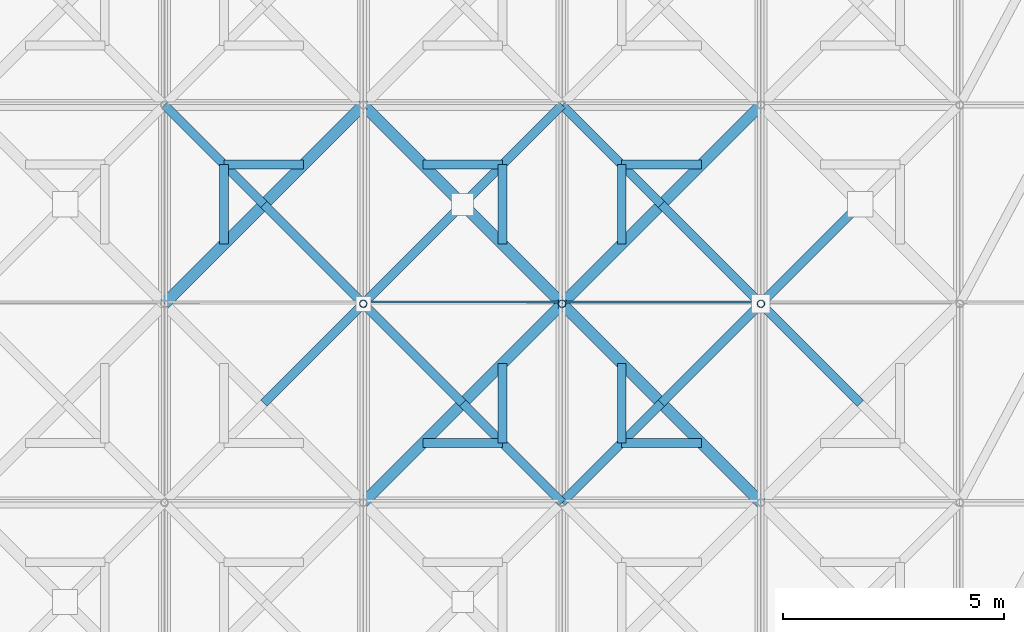
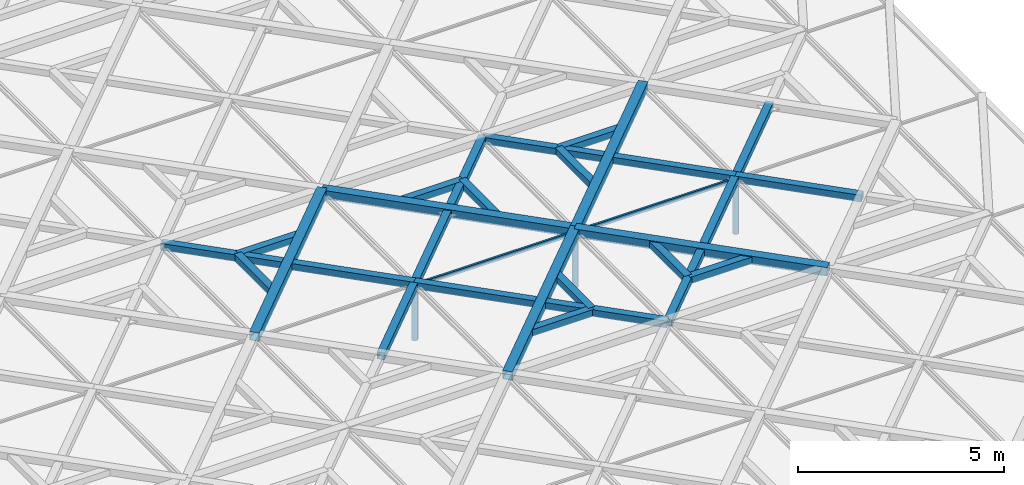
# One storey, part 36 of 80: 31 members, 2 elements without a shape of their own.
"""IFC4 building model written with IfcOpenShell, lengths in metres."""

import ifcopenshell
import ifcopenshell.guid

model = None  # the IFC model being written
_history = None  # IfcOwnerHistory: only IFC2X3 demands one
_inside = {}  # id of a spatial element -> (the spatial element, [elements in it])
_under = {}  # id of a project, library or spatial element -> (it, [spatial elements below it])
_declared = {}  # id of a project -> (the project, [libraries it declares])
_typed = {}  # id of a type object -> (the type object, [elements of that type])
_made_of = {}  # id of a material, layer set ... -> (it, [elements and type objects made of it])


def new_model(schema):
    """Start an empty IFC model of exactly this schema.

    Asked for "IFC4X3", IfcOpenShell would pick the latest addendum, in which some entities
    have other attributes; the version numbers below select the first issue.
    IFC2X3 requires an IfcOwnerHistory on every rooted entity: one is made here for all.
    """
    global model, _history
    if schema == "IFC4X3":
        model = ifcopenshell.file(schema_version=(4, 3, 0, 0))
    else:
        model = ifcopenshell.file(schema=schema)
    _inside.clear()
    _under.clear()
    _declared.clear()
    _typed.clear()
    _made_of.clear()
    _history = None
    if model.schema == "IFC2X3":
        org = make("IfcOrganization", Name="unknown")
        user = make(
            "IfcPersonAndOrganization",
            ThePerson=make("IfcPerson", FamilyName="unknown"),
            TheOrganization=org,
        )
        app = make(
            "IfcApplication",
            ApplicationDeveloper=org,
            Version="unknown",
            ApplicationFullName="unknown",
            ApplicationIdentifier="unknown",
        )
        _history = make(
            "IfcOwnerHistory",
            OwningUser=user,
            OwningApplication=app,
            ChangeAction="ADDED",
            CreationDate=0,
        )
    return model


def make(cls, **values):
    """One entity of the class cls with the attributes given. An attribute that is None is left unset."""
    return model.create_entity(
        cls, **{name: value for name, value in values.items() if value is not None}
    )


def rooted(cls, **values):
    """An entity with a GlobalId (a new one), such as an element, a storey or a relation."""
    return make(cls, GlobalId=ifcopenshell.guid.new(), OwnerHistory=_history, **values)


def si_unit(unit_type, name, prefix=None):
    """IfcSIUnit, for example si_unit("LENGTHUNIT", "METRE", prefix="MILLI")."""
    return make("IfcSIUnit", UnitType=unit_type, Prefix=prefix, Name=name)


def assignment(units):
    """IfcUnitAssignment: the units of a project."""
    return None if units is None else make("IfcUnitAssignment", Units=units)


def point(xyz):
    """IfcCartesianPoint."""
    return None if xyz is None else make("IfcCartesianPoint", Coordinates=xyz)


def direction(xyz):
    """IfcDirection."""
    return None if xyz is None else make("IfcDirection", DirectionRatios=xyz)


def frame(location, z_axis=None, x_axis=None):
    """IfcAxis2Placement3D, a coordinate frame: its origin and axes. An axis left out is left unset."""
    return make(
        "IfcAxis2Placement3D",
        Location=point(location),
        Axis=direction(z_axis),
        RefDirection=direction(x_axis),
    )


def frame_2d(location, x_axis=None):
    """IfcAxis2Placement2D, a coordinate frame in the plane: its origin and x axis."""
    return make(
        "IfcAxis2Placement2D", Location=point(location), RefDirection=direction(x_axis)
    )


def origin():
    """The frame at (0, 0, 0) with its axes left unset."""
    return frame((0.0, 0.0, 0.0))


def origin_2d():
    """The frame at (0, 0) in the plane with its x axis left unset."""
    return frame_2d((0.0, 0.0))


def place(relative_to, where):
    """IfcLocalPlacement: puts the frame where relative to a parent placement (None: the world)."""
    return make(
        "IfcLocalPlacement", PlacementRelTo=relative_to, RelativePlacement=where
    )


def context(
    kind, dimensions, precision=None, world=None, true_north=None, identifier=None
):
    """IfcGeometricRepresentationContext, for example the 3D "Model" context."""
    return make(
        "IfcGeometricRepresentationContext",
        ContextIdentifier=identifier,
        ContextType=kind,
        CoordinateSpaceDimension=dimensions,
        Precision=precision,
        WorldCoordinateSystem=world,
        TrueNorth=true_north,
    )


def subcontext(parent, identifier, kind, view, scale=None):
    """IfcGeometricRepresentationSubContext, for example "Body" below "Model"."""
    return make(
        "IfcGeometricRepresentationSubContext",
        ContextIdentifier=identifier,
        ContextType=kind,
        ParentContext=parent,
        TargetScale=scale,
        TargetView=view,
    )


def project(units=None, contexts=None):
    """IfcProject with its units and contexts."""
    return rooted(
        "IfcProject",
        Name="project",
        RepresentationContexts=contexts,
        UnitsInContext=assignment(units),
    )


def spatial(cls, under=None, at=None, **own):
    """A site, building, storey or space (cls), placed at a placement, below another one or the project."""
    s = rooted(cls, ObjectPlacement=at, **own)
    if under is not None:
        _under.setdefault(under.id(), (under, []))[1].append(s)
    return s


def profile(cls, at=None, kind="AREA", **sizes):
    """A parametric profile (cls). Its sizes go by their IFC names, for example OverallWidth=200.0."""
    return make(cls, ProfileType=kind, Position=at, **sizes)


def rectangle(**sizes):
    """IfcRectangleProfileDef."""
    return profile("IfcRectangleProfileDef", **sizes)


def hollow_rectangle(**sizes):
    """IfcRectangleHollowProfileDef."""
    return profile("IfcRectangleHollowProfileDef", **sizes)


def hollow_circle(**sizes):
    """IfcCircleHollowProfileDef."""
    return profile("IfcCircleHollowProfileDef", **sizes)


def extrude(swept, where, along, depth):
    """IfcExtrudedAreaSolid: the profile swept, set in the frame where, extruded along a direction by depth."""
    return make(
        "IfcExtrudedAreaSolid",
        SweptArea=swept,
        Position=where,
        ExtrudedDirection=direction(along),
        Depth=depth,
    )


def shape(context_of_items, identifier, shape_type, items):
    """IfcShapeRepresentation: the items that make up one representation, for example the "Body"."""
    return make(
        "IfcShapeRepresentation",
        ContextOfItems=context_of_items,
        RepresentationIdentifier=identifier,
        RepresentationType=shape_type,
        Items=items,
    )


def material(Name=None, Category=None):
    """IfcMaterial."""
    return make("IfcMaterial", Name=Name, Category=Category)


def material_profile(
    of_material, cross_section, Name=None, Category=None, Priority=None
):
    """IfcMaterialProfile: a cross section and its material."""
    return make(
        "IfcMaterialProfile",
        Name=Name,
        Material=of_material,
        Profile=cross_section,
        Priority=Priority,
        Category=Category,
    )


def profile_set(profiles, Name=None, composite=None):
    """IfcMaterialProfileSet."""
    return make(
        "IfcMaterialProfileSet",
        Name=Name,
        MaterialProfiles=profiles,
        CompositeProfile=composite,
    )


def made_of(thing, what):
    """Note that an element or type object is made of a material, layer set ...; save() writes the relation."""
    if what is not None:
        _made_of.setdefault(what.id(), (what, []))[1].append(thing)
    return thing


def type_object(cls, material=None, **own):
    """A type object (cls), such as IfcWallType, which elements share."""
    return made_of(rooted(cls, **own), material)


def element(
    cls,
    number,
    at=None,
    inside=None,
    cuts=None,
    type_object=None,
    material=None,
    context=None,
    identifier="Body",
    shape_type=None,
    held_by="IfcProductDefinitionShape",
    body=None,
    shapes=None,
    **own,
):
    """One element of the class cls, such as IfcWall. Its Tag is "e" and its number.

    at: its placement. inside: the storey or other place that contains it. cuts: it is an
    opening in that element (IfcRelVoidsElement). A single representation is given by context,
    identifier, shape_type and body (its items); several are given by shapes. held_by: the class
    of the entity that holds the representations. save() writes the other relations.
    """
    e = rooted(cls, Tag="e%d" % number, ObjectPlacement=at, **own)
    if body is not None:
        shapes = [shape(context, identifier, shape_type, body)]
    if shapes is not None:
        e.Representation = make(held_by, Representations=shapes)
    if inside is not None:
        _inside.setdefault(inside.id(), (inside, []))[1].append(e)
    if cuts is not None:
        rooted(
            "IfcRelVoidsElement", RelatingBuildingElement=cuts, RelatedOpeningElement=e
        )
    if type_object is not None:
        _typed.setdefault(type_object.id(), (type_object, []))[1].append(e)
    return made_of(e, material)


def aggregate(whole, parts):
    """IfcRelAggregates: a whole, such as a stair, and the parts it consists of."""
    return rooted("IfcRelAggregates", RelatingObject=whole, RelatedObjects=parts)


def save(model, path):
    """Write the relations noted so far, then the file.

    IfcRelAggregates (storeys below a building ...), IfcRelContainedInSpatialStructure (elements
    in a storey), IfcRelDefinesByType, IfcRelAssociatesMaterial and IfcRelDeclares: one each for
    every whole, place, type object, material and project.
    """
    for whole, parts in _under.values():
        aggregate(whole, parts)
    for where, things in _inside.values():
        rooted(
            "IfcRelContainedInSpatialStructure",
            RelatedElements=things,
            RelatingStructure=where,
        )
    for kind, things in _typed.values():
        rooted("IfcRelDefinesByType", RelatedObjects=things, RelatingType=kind)
    for what, things in _made_of.values():
        rooted("IfcRelAssociatesMaterial", RelatedObjects=things, RelatingMaterial=what)
    for by, libraries in _declared.values():
        rooted("IfcRelDeclares", RelatingContext=by, RelatedDefinitions=libraries)
    model.write(path)


model = new_model("IFC4")

# Units and contexts
model_context = context("Model", 3, precision=1e-05, world=origin(), true_north=direction((0.0, 1.0)))
body_context = subcontext(model_context, "Body", "Model", "MODEL_VIEW")
ifc_project = project(units=[si_unit("LENGTHUNIT", "METRE"), si_unit("AREAUNIT", "SQUARE_METRE"), si_unit("VOLUMEUNIT", "CUBIC_METRE"), si_unit("PLANEANGLEUNIT", "RADIAN"), si_unit("MASSUNIT", "GRAM", prefix="KILO"), si_unit("THERMODYNAMICTEMPERATUREUNIT", "KELVIN"), si_unit("POWERUNIT", "WATT")], contexts=[model_context])

# Site, building, storey
site_placement = place(None, origin())
site = spatial("IfcSite", under=ifc_project, at=site_placement, CompositionType="ELEMENT")
building_placement = place(site_placement, origin())
building = spatial("IfcBuilding", under=site, at=building_placement, Name="Tallowbark Science Centre", CompositionType="ELEMENT")
storey_placement = place(building_placement, frame((0.0, 0.0, 25.949951171875)))
storey = spatial("IfcBuildingStorey", under=building, at=storey_placement, Name="ROOF", CompositionType="ELEMENT", Elevation=25.949951171875)

# Curtain wall, member
ifc_material_1 = material(Name="Blue-Tinted Laminated Low-E Skylight Glass", Category="glass")
curtain_wall_type = type_object("IfcCurtainWallType", Name="CW-SKY-ROOF", PredefinedType="NOTDEFINED", material=ifc_material_1)
curtain_wall_1_placement = place(storey_placement, origin())
curtain_wall_1 = element("IfcCurtainWall", 1, at=curtain_wall_1_placement, inside=storey, type_object=curtain_wall_type, Name="Exhibition Star-Screen Skylight Bay 9", PredefinedType="NOTDEFINED")
ifc_material_2 = material(Name="Anodised Architectural Aluminium Alloy 6063-T6", Category="aluminium")
ifc_material_profile_1 = material_profile(ifc_material_2, rectangle(XDim=0.054931640625, YDim=0.1201171875, at=origin_2d()), Name="ALU55x120")
ifc_profile_set_1 = profile_set([ifc_material_profile_1], Name="Anodised Architectural Aluminium Alloy 6063-T6")
member_type_1 = type_object("IfcMemberType", Name="CWM-SKY-TRN", PredefinedType="USERDEFINED", material=ifc_profile_set_1)
member_1_placement = place(storey_placement, frame((90.080078125, 18.0400390625, 0.35205078125), z_axis=(1.0, 0.0, 0.0), x_axis=(0.0, 1.0, 0.0)))
member_1 = element("IfcMember", 2, at=member_1_placement, type_object=member_type_1, Name="Skylight Bay 9 Transom 5", ObjectType="TRANSOM", PredefinedType="USERDEFINED", context=body_context, shape_type="SweptSolid", body=[
    extrude(rectangle(XDim=0.054931640625, YDim=0.1201171875, at=origin_2d()), origin(), (0.0, 0.0, 1.0), 4.33984375),
])
aggregate(curtain_wall_1, [member_1])

curtain_wall_2_placement = place(storey_placement, origin())
curtain_wall_2 = element("IfcCurtainWall", 3, at=curtain_wall_2_placement, inside=storey, type_object=curtain_wall_type, Name="Exhibition Star-Screen Skylight Bay 10", PredefinedType="NOTDEFINED")
member_2_placement = place(storey_placement, frame((94.580078125, 18.0400390625, 0.35205078125), z_axis=(1.0, 0.0, 0.0), x_axis=(0.0, 1.0, 0.0)))
member_2 = element("IfcMember", 4, at=member_2_placement, type_object=member_type_1, Name="Skylight Bay 10 Transom 5", ObjectType="TRANSOM", PredefinedType="USERDEFINED", context=body_context, shape_type="SweptSolid", body=[
    extrude(rectangle(XDim=0.054931640625, YDim=0.1201171875, at=origin_2d()), origin(), (0.0, 0.0, 1.0), 4.33984375),
])
aggregate(curtain_wall_2, [member_2])

# Members
ifc_material_3 = material(Name="White Architectural Painted Steel Grade C350L0 (350 MPa)", Category="steel")
ifc_material_profile_2 = material_profile(ifc_material_3, hollow_rectangle(XDim=0.25, YDim=0.25, WallThickness=0.009033203125, at=origin_2d()), Name="250x250x9.0SHS")
ifc_profile_set_2 = profile_set([ifc_material_profile_2], Name="White Architectural Painted Steel Grade C350L0 (350 MPa)")
member_type_2 = type_object("IfcMemberType", Name="SCR-CHD200", PredefinedType="CHORD", material=ifc_profile_set_2)
for number, where, z_axis, x_axis, name in (
    (5, (90.0, 13.5, 0.449951171875), (0.707106781187, 0.707106781187, 0.0), (-0.707106781187, 0.707106781187, 0.0), "Star Screen Octagram Diamond Chord TOP-67-1"),
    (6, (94.5, 18.0, 0.449951171875), (-0.707106781187, 0.707106781187, 0.0), (-0.707106781187, -0.707106781187, 0.0), "Star Screen Octagram Diamond Chord TOP-67-2"),
    (7, (90.0, 22.5, 0.449951171875), (-0.707106781187, -0.707106781187, 0.0), (0.707106781187, -0.707106781187, 0.0), "Star Screen Octagram Diamond Chord TOP-67-3"),
    (8, (99.0, 22.5, 0.449951171875), (-0.707106781187, -0.707106781187, 0.0), (0.707106781187, -0.707106781187, 0.0), "Star Screen Octagram Diamond Chord TOP-71-3"),
    (9, (94.5, 18.0, 0.449951171875), (0.707106781187, -0.707106781187, 0.0), (0.707106781187, 0.707106781187, 0.0), "Star Screen Octagram Diamond Chord TOP-71-4"),
):
    element("IfcMember", number, at=place(storey_placement, frame(where, z_axis=z_axis, x_axis=x_axis)), inside=storey, type_object=member_type_2, Name=name, PredefinedType="CHORD", context=body_context, shape_type="SweptSolid", body=[
        extrude(hollow_rectangle(XDim=0.25, YDim=0.25, WallThickness=0.009033203125, at=origin_2d()), origin(), (0.0, 0.0, 1.0), 6.364013671875),
    ])
ifc_material_profile_3 = material_profile(ifc_material_3, hollow_rectangle(XDim=0.199951171875, YDim=0.199951171875, WallThickness=0.009033203125, at=origin_2d()), Name="200x200x9.0SHS")
ifc_profile_set_3 = profile_set([ifc_material_profile_3], Name="White Architectural Painted Steel Grade C350L0 (350 MPa)")
member_type_3 = type_object("IfcMemberType", Name="SCR-STAR139", PredefinedType="BRACE", material=ifc_profile_set_3)
member_3_placement = place(storey_placement, frame((87.75, 15.75, 0.449951171875), z_axis=(0.707106781187, 0.707106781187, 0.0), x_axis=(-0.707106781187, 0.707106781187, 0.0)))
element("IfcMember", 10, at=member_3_placement, inside=storey, type_object=member_type_3, Name="Star Screen Continuous X-Diagonal D1M TOP-67", PredefinedType="BRACE", context=body_context, shape_type="SweptSolid", body=[
    extrude(hollow_rectangle(XDim=0.199951171875, YDim=0.199951171875, WallThickness=0.009033203125, at=origin_2d()), origin(), (0.0, 0.0, 1.0), 6.364013671875),
])
for number, where, z_axis, x_axis, name in (
    (11, (92.25, 20.25, 0.449951171875), (0.707106781187, 0.707106781187, 0.0), (-0.707106781187, 0.707106781187, 0.0), "Star Screen Continuous X-Diagonal D1B TOP-67"),
    (12, (85.5, 22.5, 0.449951171875), (0.707106781187, -0.707106781187, 0.0), (0.707106781187, 0.707106781187, 0.0), "Star Screen Split X-Diagonal D2A TOP-67"),
    (13, (87.75, 20.25, 0.449951171875), (0.707106781187, -0.707106781187, 0.0), (0.707106781187, 0.707106781187, 0.0), "Star Screen Split X-Diagonal D2B TOP-67"),
    (14, (90.0, 18.0, 0.449951171875), (0.707106781187, -0.707106781187, 0.0), (0.707106781187, 0.707106781187, 0.0), "Star Screen Split X-Diagonal D2C TOP-67"),
    (15, (92.25, 15.75, 0.449951171875), (0.707106781187, -0.707106781187, 0.0), (0.707106781187, 0.707106781187, 0.0), "Star Screen Split X-Diagonal D2D TOP-67"),
    (16, (94.5, 13.5, 0.449951171875), (0.707106781187, 0.707106781187, 0.0), (-0.707106781187, 0.707106781187, 0.0), "Star Screen Continuous X-Diagonal D1A TOP-71"),
):
    element("IfcMember", number, at=place(storey_placement, frame(where, z_axis=z_axis, x_axis=x_axis)), inside=storey, type_object=member_type_3, Name=name, PredefinedType="BRACE", context=body_context, shape_type="SweptSolid", body=[
        extrude(hollow_rectangle(XDim=0.199951171875, YDim=0.199951171875, WallThickness=0.009033203125, at=origin_2d()), origin(), (0.0, 0.0, 1.0), 3.181884765625),
    ])
member_4_placement = place(storey_placement, frame((96.75, 15.75, 0.449951171875), z_axis=(0.707106781187, 0.707106781187, 0.0), x_axis=(-0.707106781187, 0.707106781187, 0.0)))
element("IfcMember", 17, at=member_4_placement, inside=storey, type_object=member_type_3, Name="Star Screen Continuous X-Diagonal D1M TOP-71", PredefinedType="BRACE", context=body_context, shape_type="SweptSolid", body=[
    extrude(hollow_rectangle(XDim=0.199951171875, YDim=0.199951171875, WallThickness=0.009033203125, at=origin_2d()), origin(), (0.0, 0.0, 1.0), 6.364013671875),
])
for number, where, z_axis, x_axis, name in (
    (18, (94.5, 22.5, 0.449951171875), (0.707106781187, -0.707106781187, 0.0), (0.707106781187, 0.707106781187, 0.0), "Star Screen Split X-Diagonal D2A TOP-71"),
    (19, (96.75, 20.25, 0.449951171875), (0.707106781187, -0.707106781187, 0.0), (0.707106781187, 0.707106781187, 0.0), "Star Screen Split X-Diagonal D2B TOP-71"),
    (20, (99.0, 18.0, 0.449951171875), (0.707106781187, -0.707106781187, 0.0), (0.707106781187, 0.707106781187, 0.0), "Star Screen Split X-Diagonal D2C TOP-71"),
):
    element("IfcMember", number, at=place(storey_placement, frame(where, z_axis=z_axis, x_axis=x_axis)), inside=storey, type_object=member_type_3, Name=name, PredefinedType="BRACE", context=body_context, shape_type="SweptSolid", body=[
        extrude(hollow_rectangle(XDim=0.199951171875, YDim=0.199951171875, WallThickness=0.009033203125, at=origin_2d()), origin(), (0.0, 0.0, 1.0), 3.181884765625),
    ])
ifc_material_profile_4 = material_profile(ifc_material_3, hollow_rectangle(XDim=0.199951171875, YDim=0.199951171875, WallThickness=0.009033203125, at=origin_2d()), Name="200x200x9.0SHS")
ifc_profile_set_4 = profile_set([ifc_material_profile_4], Name="White Architectural Painted Steel Grade C350L0 (350 MPa)")
member_type_4 = type_object("IfcMemberType", Name="SCR-SUB150", PredefinedType="BRACE", material=ifc_profile_set_4)
for number, where, z_axis, x_axis, name in (
    (21, (93.14990234375, 14.85009765625, 0.449951171875), (-1.0, 0.0, 0.0), (0.0, -1.0, 0.0), "Star Screen Octagram Point Ray TOP-67-3"),
    (22, (93.14990234375, 14.85009765625, 0.449951171875), (0.0, 1.0, 0.0), (-1.0, 0.0, 0.0), "Star Screen Octagram Point Ray TOP-67-4"),
    (23, (93.14990234375, 21.14990234375, 0.449951171875), (-1.0, 0.0, 0.0), (0.0, -1.0, 0.0), "Star Screen Octagram Point Ray TOP-67-5"),
    (24, (93.14990234375, 21.14990234375, 0.449951171875), (0.0, -1.0, 0.0), (1.0, 0.0, 0.0), "Star Screen Octagram Point Ray TOP-67-6"),
    (25, (86.85009765625, 21.14990234375, 0.449951171875), (1.0, 0.0, 0.0), (0.0, 1.0, 0.0), "Star Screen Octagram Point Ray TOP-67-7"),
    (26, (86.85009765625, 21.14990234375, 0.449951171875), (0.0, -1.0, 0.0), (1.0, 0.0, 0.0), "Star Screen Octagram Point Ray TOP-67-8"),
    (27, (95.85009765625, 14.85009765625, 0.449951171875), (1.0, 0.0, 0.0), (0.0, 1.0, 0.0), "Star Screen Octagram Point Ray TOP-71-1"),
    (28, (95.85009765625, 14.85009765625, 0.449951171875), (0.0, 1.0, 0.0), (-1.0, 0.0, 0.0), "Star Screen Octagram Point Ray TOP-71-2"),
    (29, (95.85009765625, 21.14990234375, 0.449951171875), (1.0, 0.0, 0.0), (0.0, 1.0, 0.0), "Star Screen Octagram Point Ray TOP-71-7"),
    (30, (95.85009765625, 21.14990234375, 0.449951171875), (0.0, -1.0, 0.0), (1.0, 0.0, 0.0), "Star Screen Octagram Point Ray TOP-71-8"),
):
    element("IfcMember", number, at=place(storey_placement, frame(where, z_axis=z_axis, x_axis=x_axis)), inside=storey, type_object=member_type_4, Name=name, PredefinedType="BRACE", context=body_context, shape_type="SweptSolid", body=[
        extrude(hollow_rectangle(XDim=0.199951171875, YDim=0.199951171875, WallThickness=0.009033203125, at=origin_2d()), origin(), (0.0, 0.0, 1.0), 1.7998046875),
    ])
ifc_material_profile_5 = material_profile(ifc_material_3, hollow_circle(Radius=0.084228515625, WallThickness=0.007080078125, at=origin_2d()), Name="168.3x7.1CHS")
ifc_profile_set_5 = profile_set([ifc_material_profile_5], Name="White Architectural Painted Steel Grade C350L0 (350 MPa)")
member_type_5 = type_object("IfcMemberType", Name="TR-WEB168", PredefinedType="BRACE", material=ifc_profile_set_5)
for number, where, z_axis, x_axis, name in (
    (31, (90.0, 18.0, -1.199951171875), (0.0, 0.0, 1.0), (1.0, 0.0, 0.0), "Exhibition Roof Truss Web 8-18"),
    (32, (94.5, 18.0, -1.199951171875), (0.0, 0.0, 1.0), (1.0, 0.0, 0.0), "Exhibition Roof Truss Web 9-18"),
    (33, (99.0, 18.0, -1.199951171875), (0.0, 0.0, 1.0), (1.0, 0.0, 0.0), "Exhibition Roof Truss Web 10-18"),
):
    element("IfcMember", number, at=place(storey_placement, frame(where, z_axis=z_axis, x_axis=x_axis)), inside=storey, type_object=member_type_5, Name=name, PredefinedType="BRACE", context=body_context, shape_type="SweptSolid", body=[
        extrude(hollow_circle(Radius=0.084228515625, WallThickness=0.007080078125, at=origin_2d()), origin(), (0.0, 0.0, 1.0), 1.389892578125),
    ])

save(model, "model.ifc")
